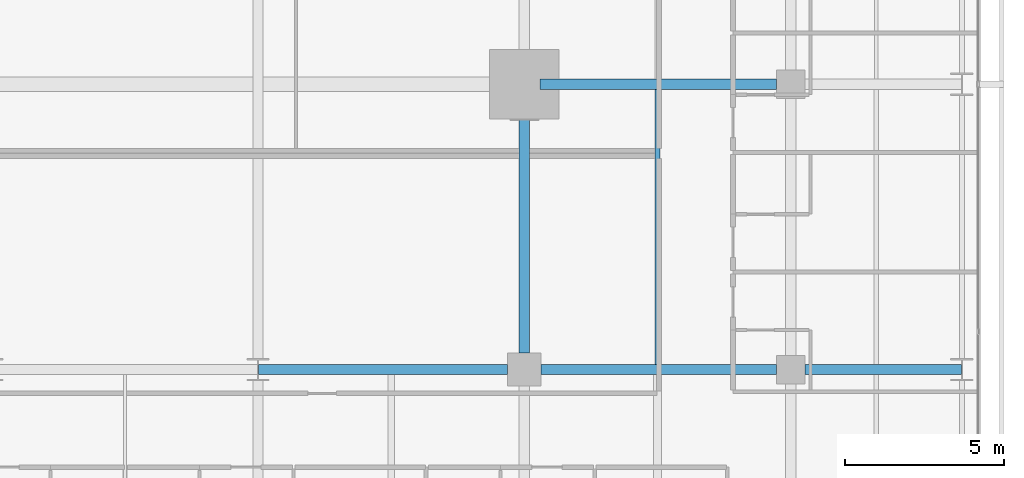
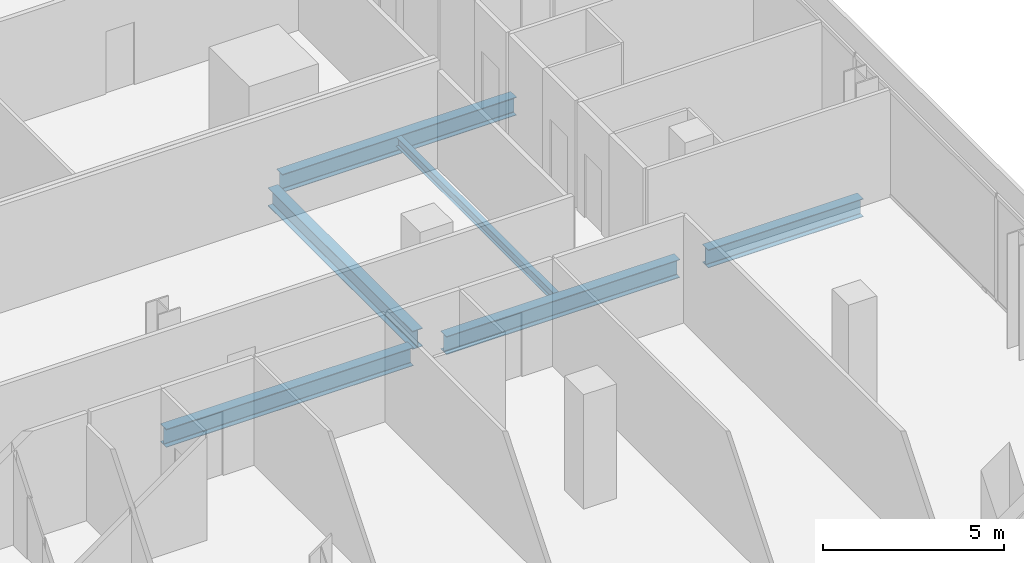
# One storey, part 18 of 40: 6 beams.
"""IFC4 building model written with IfcOpenShell, lengths in metres."""

from ifc_helpers import new_model, si_unit, direction, frame, origin, origin_2d, place, context, subcontext, project, spatial, i_section, extrude, material, material_profile, profile_set, type_object, element, save


model = new_model("IFC4")

# Units and contexts
model_context = context("Model", 3, precision=1e-05, world=origin(), true_north=direction((0.0, 1.0)))
body_context = subcontext(model_context, "Body", "Model", "MODEL_VIEW")
ifc_project = project(units=[si_unit("LENGTHUNIT", "METRE"), si_unit("AREAUNIT", "SQUARE_METRE"), si_unit("VOLUMEUNIT", "CUBIC_METRE"), si_unit("PLANEANGLEUNIT", "RADIAN"), si_unit("MASSUNIT", "GRAM", prefix="KILO")], contexts=[model_context])

# Site, building, storey
site_placement = place(None, origin())
site = spatial("IfcSite", under=ifc_project, at=site_placement, CompositionType="ELEMENT")
building_placement = place(site_placement, origin())
building = spatial("IfcBuilding", under=site, at=building_placement, Name="Maruvema Waterfront Hotel and Observation Tower", CompositionType="ELEMENT")
storey_placement = place(building_placement, frame((0.0, 0.0, 107.800048828125)))
storey = spatial("IfcBuildingStorey", under=building, at=storey_placement, Name="L26", CompositionType="ELEMENT", Elevation=107.800048828125)

# Beams
ifc_material_1 = material(Name="Steel ASTM A572 Grade 50", Category="steel")
ifc_material_profile_1 = material_profile(ifc_material_1, i_section(OverallWidth=0.323974609375, OverallDepth=0.611083984375, WebThickness=0.0126953125, FlangeThickness=0.01904296875, FilletRadius=0.01806640625, at=origin_2d()), Name="W610x155.0")
ifc_profile_set_1 = profile_set([ifc_material_profile_1], Name="Steel ASTM A572 Grade 50")
beam_type_1 = type_object("IfcBeamType", Name="Primary Floor Girder W610x155.0", PredefinedType="BEAM", material=ifc_profile_set_1)
beam_1_placement = place(storey_placement, frame((42.013916015625, 18.0, -0.545654296875), z_axis=(1.0, 0.0, 0.0), x_axis=(0.0, 1.0, 0.0)))
element("IfcBeam", 1, at=beam_1_placement, inside=storey, type_object=beam_type_1, Name="L26 Floor Girder EW-17", PredefinedType="BEAM", context=body_context, shape_type="SweptSolid", body=[
    extrude(i_section(OverallWidth=0.323974609375, OverallDepth=0.611083984375, WebThickness=0.0126953125, FlangeThickness=0.01904296875, FilletRadius=0.01806640625, at=origin_2d()), origin(), (0.0, 0.0, 1.0), 7.861083984375),
])
beam_2_placement = place(storey_placement, frame((50.925048828125, 18.0, -0.545654296875), z_axis=(1.0, 0.0, 0.0), x_axis=(0.0, 1.0, 0.0)))
element("IfcBeam", 2, at=beam_2_placement, inside=storey, type_object=beam_type_1, Name="L26 Floor Girder EW-18", PredefinedType="BEAM", context=body_context, shape_type="SweptSolid", body=[
    extrude(i_section(OverallWidth=0.323974609375, OverallDepth=0.611083984375, WebThickness=0.0126953125, FlangeThickness=0.01904296875, FilletRadius=0.01806640625, at=origin_2d()), origin(), (0.0, 0.0, 1.0), 7.425048828125),
])
beam_3_placement = place(storey_placement, frame((59.25, 18.0, -0.545654296875), z_axis=(1.0, 0.0, 0.0), x_axis=(0.0, 1.0, 0.0)))
element("IfcBeam", 3, at=beam_3_placement, inside=storey, type_object=beam_type_1, Name="L26 Floor Girder EW-19", PredefinedType="BEAM", context=body_context, shape_type="SweptSolid", body=[
    extrude(i_section(OverallWidth=0.323974609375, OverallDepth=0.611083984375, WebThickness=0.0126953125, FlangeThickness=0.01904296875, FilletRadius=0.01806640625, at=origin_2d()), origin(), (0.0, 0.0, 1.0), 4.93603515625),
])
beam_4_placement = place(storey_placement, frame((50.89990234375, 27.0, -0.545654296875), z_axis=(1.0, 0.0, 0.0), x_axis=(0.0, 1.0, 0.0)))
element("IfcBeam", 4, at=beam_4_placement, inside=storey, type_object=beam_type_1, Name="L26 Floor Girder EW-23", PredefinedType="BEAM", context=body_context, shape_type="SweptSolid", body=[
    extrude(i_section(OverallWidth=0.323974609375, OverallDepth=0.611083984375, WebThickness=0.0126953125, FlangeThickness=0.01904296875, FilletRadius=0.01806640625, at=origin_2d()), origin(), (0.0, 0.0, 1.0), 7.4501953125),
])
beam_5_placement = place(storey_placement, frame((50.39990234375, 18.52490234375, -0.545654296875), z_axis=(0.0, 1.0, 0.0), x_axis=(-1.0, 0.0, 0.0)))
element("IfcBeam", 5, at=beam_5_placement, inside=storey, type_object=beam_type_1, Name="L26 Floor Girder NS-24", PredefinedType="BEAM", context=body_context, shape_type="SweptSolid", body=[
    extrude(i_section(OverallWidth=0.323974609375, OverallDepth=0.611083984375, WebThickness=0.0126953125, FlangeThickness=0.01904296875, FilletRadius=0.01806640625, at=origin_2d()), origin(), (0.0, 0.0, 1.0), 7.97509765625),
])
ifc_material_2 = material(Name="Steel ASTM A572 Grade 50", Category="steel")
ifc_material_profile_2 = material_profile(ifc_material_2, i_section(OverallWidth=0.1669921875, OverallDepth=0.31689453125, WebThickness=0.007568359375, FlangeThickness=0.01318359375, FilletRadius=0.012939453125, at=origin_2d()), Name="W310x52.0")
ifc_profile_set_2 = profile_set([ifc_material_profile_2], Name="Steel ASTM A572 Grade 50")
beam_type_2 = type_object("IfcBeamType", Name="Secondary Floor Joist W310x52.0", PredefinedType="JOIST", material=ifc_profile_set_2)
beam_6_placement = place(storey_placement, frame((54.60009765625, 18.162109375, -0.3984375), z_axis=(0.0, 1.0, 0.0), x_axis=(-1.0, 0.0, 0.0)))
element("IfcBeam", 6, at=beam_6_placement, inside=storey, type_object=beam_type_2, Name="L26 Secondary Floor Joist JS-18", PredefinedType="JOIST", context=body_context, shape_type="SweptSolid", body=[
    extrude(i_section(OverallWidth=0.1669921875, OverallDepth=0.31689453125, WebThickness=0.007568359375, FlangeThickness=0.01318359375, FilletRadius=0.012939453125, at=origin_2d()), origin(), (0.0, 0.0, 1.0), 8.67578125),
])

save(model, "model.ifc")
